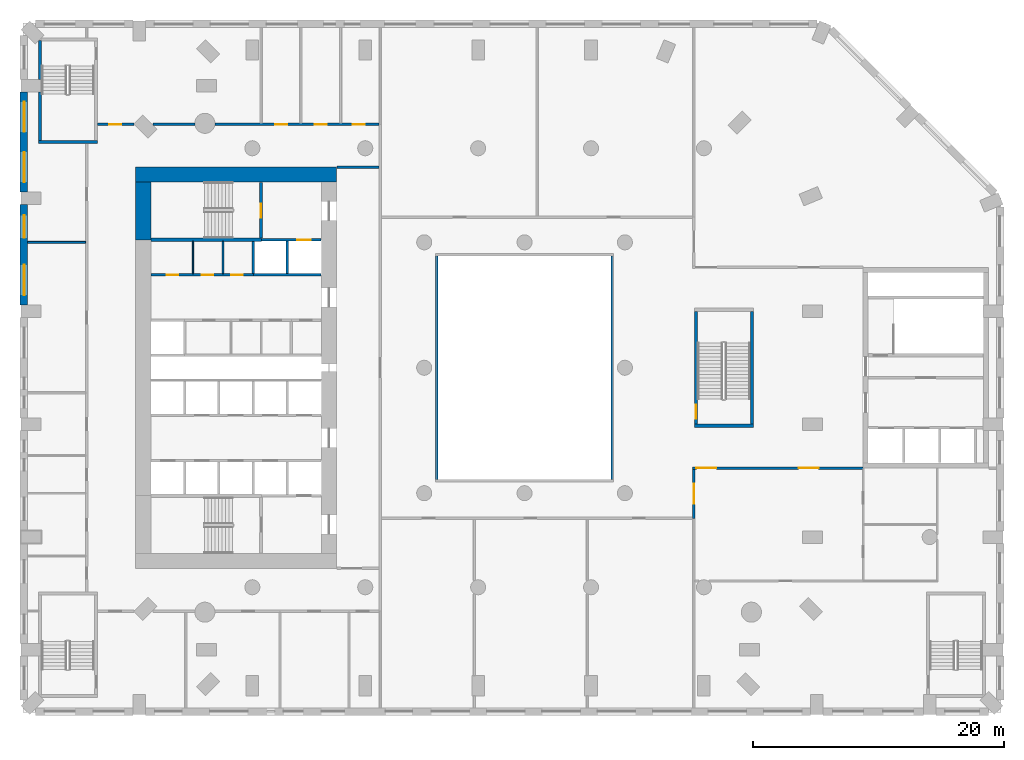
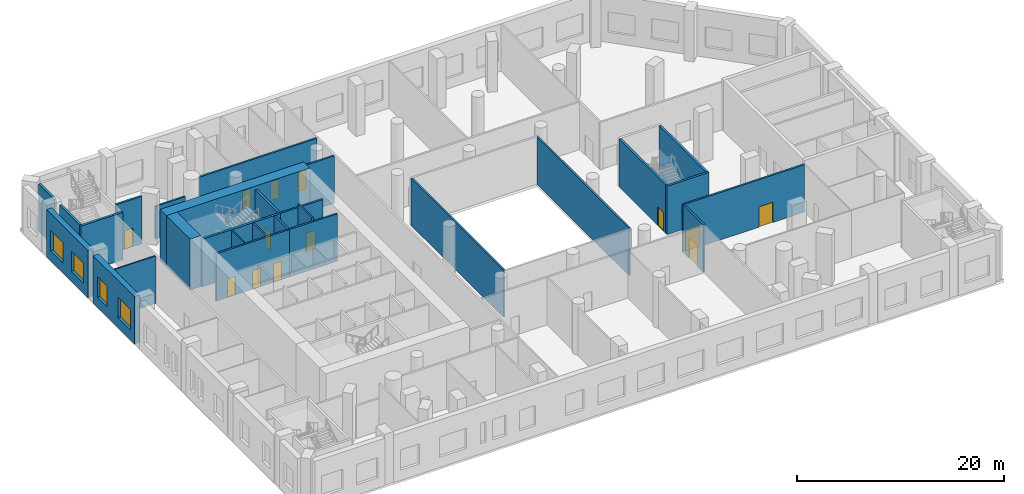
# One storey, part 6 of 19: 28 walls, 13 doors, 4 windows, 17 openings.
"""IFC4 building model written with IfcOpenShell, lengths in metres."""

import ifcopenshell
import ifcopenshell.guid

model = None  # the IFC model being written
_history = None  # IfcOwnerHistory: only IFC2X3 demands one
_inside = {}  # id of a spatial element -> (the spatial element, [elements in it])
_under = {}  # id of a project, library or spatial element -> (it, [spatial elements below it])
_declared = {}  # id of a project -> (the project, [libraries it declares])
_typed = {}  # id of a type object -> (the type object, [elements of that type])
_made_of = {}  # id of a material, layer set ... -> (it, [elements and type objects made of it])


def new_model(schema):
    """Start an empty IFC model of exactly this schema.

    Asked for "IFC4X3", IfcOpenShell would pick the latest addendum, in which some entities
    have other attributes; the version numbers below select the first issue.
    IFC2X3 requires an IfcOwnerHistory on every rooted entity: one is made here for all.
    """
    global model, _history
    if schema == "IFC4X3":
        model = ifcopenshell.file(schema_version=(4, 3, 0, 0))
    else:
        model = ifcopenshell.file(schema=schema)
    _inside.clear()
    _under.clear()
    _declared.clear()
    _typed.clear()
    _made_of.clear()
    _history = None
    if model.schema == "IFC2X3":
        org = make("IfcOrganization", Name="unknown")
        user = make(
            "IfcPersonAndOrganization",
            ThePerson=make("IfcPerson", FamilyName="unknown"),
            TheOrganization=org,
        )
        app = make(
            "IfcApplication",
            ApplicationDeveloper=org,
            Version="unknown",
            ApplicationFullName="unknown",
            ApplicationIdentifier="unknown",
        )
        _history = make(
            "IfcOwnerHistory",
            OwningUser=user,
            OwningApplication=app,
            ChangeAction="ADDED",
            CreationDate=0,
        )
    return model


def make(cls, **values):
    """One entity of the class cls with the attributes given. An attribute that is None is left unset."""
    return model.create_entity(
        cls, **{name: value for name, value in values.items() if value is not None}
    )


def rooted(cls, **values):
    """An entity with a GlobalId (a new one), such as an element, a storey or a relation."""
    return make(cls, GlobalId=ifcopenshell.guid.new(), OwnerHistory=_history, **values)


def si_unit(unit_type, name, prefix=None):
    """IfcSIUnit, for example si_unit("LENGTHUNIT", "METRE", prefix="MILLI")."""
    return make("IfcSIUnit", UnitType=unit_type, Prefix=prefix, Name=name)


def assignment(units):
    """IfcUnitAssignment: the units of a project."""
    return None if units is None else make("IfcUnitAssignment", Units=units)


def point(xyz):
    """IfcCartesianPoint."""
    return None if xyz is None else make("IfcCartesianPoint", Coordinates=xyz)


def direction(xyz):
    """IfcDirection."""
    return None if xyz is None else make("IfcDirection", DirectionRatios=xyz)


def frame(location, z_axis=None, x_axis=None):
    """IfcAxis2Placement3D, a coordinate frame: its origin and axes. An axis left out is left unset."""
    return make(
        "IfcAxis2Placement3D",
        Location=point(location),
        Axis=direction(z_axis),
        RefDirection=direction(x_axis),
    )


def frame_2d(location, x_axis=None):
    """IfcAxis2Placement2D, a coordinate frame in the plane: its origin and x axis."""
    return make(
        "IfcAxis2Placement2D", Location=point(location), RefDirection=direction(x_axis)
    )


def origin():
    """The frame at (0, 0, 0) with its axes left unset."""
    return frame((0.0, 0.0, 0.0))


def place(relative_to, where):
    """IfcLocalPlacement: puts the frame where relative to a parent placement (None: the world)."""
    return make(
        "IfcLocalPlacement", PlacementRelTo=relative_to, RelativePlacement=where
    )


def context(
    kind, dimensions, precision=None, world=None, true_north=None, identifier=None
):
    """IfcGeometricRepresentationContext, for example the 3D "Model" context."""
    return make(
        "IfcGeometricRepresentationContext",
        ContextIdentifier=identifier,
        ContextType=kind,
        CoordinateSpaceDimension=dimensions,
        Precision=precision,
        WorldCoordinateSystem=world,
        TrueNorth=true_north,
    )


def subcontext(parent, identifier, kind, view, scale=None):
    """IfcGeometricRepresentationSubContext, for example "Body" below "Model"."""
    return make(
        "IfcGeometricRepresentationSubContext",
        ContextIdentifier=identifier,
        ContextType=kind,
        ParentContext=parent,
        TargetScale=scale,
        TargetView=view,
    )


def project(units=None, contexts=None):
    """IfcProject with its units and contexts."""
    return rooted(
        "IfcProject",
        Name="project",
        RepresentationContexts=contexts,
        UnitsInContext=assignment(units),
    )


def spatial(cls, under=None, at=None, **own):
    """A site, building, storey or space (cls), placed at a placement, below another one or the project."""
    s = rooted(cls, ObjectPlacement=at, **own)
    if under is not None:
        _under.setdefault(under.id(), (under, []))[1].append(s)
    return s


def profile(cls, at=None, kind="AREA", **sizes):
    """A parametric profile (cls). Its sizes go by their IFC names, for example OverallWidth=200.0."""
    return make(cls, ProfileType=kind, Position=at, **sizes)


def rectangle(**sizes):
    """IfcRectangleProfileDef."""
    return profile("IfcRectangleProfileDef", **sizes)


def extrude(swept, where, along, depth):
    """IfcExtrudedAreaSolid: the profile swept, set in the frame where, extruded along a direction by depth."""
    return make(
        "IfcExtrudedAreaSolid",
        SweptArea=swept,
        Position=where,
        ExtrudedDirection=direction(along),
        Depth=depth,
    )


def shape(context_of_items, identifier, shape_type, items):
    """IfcShapeRepresentation: the items that make up one representation, for example the "Body"."""
    return make(
        "IfcShapeRepresentation",
        ContextOfItems=context_of_items,
        RepresentationIdentifier=identifier,
        RepresentationType=shape_type,
        Items=items,
    )


def material(Name=None, Category=None):
    """IfcMaterial."""
    return make("IfcMaterial", Name=Name, Category=Category)


def layer(
    of_material, thickness, ventilated=None, Name=None, Category=None, Priority=None
):
    """IfcMaterialLayer: one layer of a wall or slab, of a material (None: an air gap)."""
    return make(
        "IfcMaterialLayer",
        Material=of_material,
        LayerThickness=thickness,
        IsVentilated=ventilated,
        Name=Name,
        Category=Category,
        Priority=Priority,
    )


def layer_set(layers, Name=None):
    """IfcMaterialLayerSet."""
    return make("IfcMaterialLayerSet", MaterialLayers=layers, LayerSetName=Name)


def made_of(thing, what):
    """Note that an element or type object is made of a material, layer set ...; save() writes the relation."""
    if what is not None:
        _made_of.setdefault(what.id(), (what, []))[1].append(thing)
    return thing


def type_object(cls, material=None, **own):
    """A type object (cls), such as IfcWallType, which elements share."""
    return made_of(rooted(cls, **own), material)


def element(
    cls,
    number,
    at=None,
    inside=None,
    cuts=None,
    type_object=None,
    material=None,
    context=None,
    identifier="Body",
    shape_type=None,
    held_by="IfcProductDefinitionShape",
    body=None,
    shapes=None,
    **own,
):
    """One element of the class cls, such as IfcWall. Its Tag is "e" and its number.

    at: its placement. inside: the storey or other place that contains it. cuts: it is an
    opening in that element (IfcRelVoidsElement). A single representation is given by context,
    identifier, shape_type and body (its items); several are given by shapes. held_by: the class
    of the entity that holds the representations. save() writes the other relations.
    """
    e = rooted(cls, Tag="e%d" % number, ObjectPlacement=at, **own)
    if body is not None:
        shapes = [shape(context, identifier, shape_type, body)]
    if shapes is not None:
        e.Representation = make(held_by, Representations=shapes)
    if inside is not None:
        _inside.setdefault(inside.id(), (inside, []))[1].append(e)
    if cuts is not None:
        rooted(
            "IfcRelVoidsElement", RelatingBuildingElement=cuts, RelatedOpeningElement=e
        )
    if type_object is not None:
        _typed.setdefault(type_object.id(), (type_object, []))[1].append(e)
    return made_of(e, material)


def fill(opening, filler):
    """IfcRelFillsElement: the door or window that sits in an opening."""
    return rooted(
        "IfcRelFillsElement",
        RelatingOpeningElement=opening,
        RelatedBuildingElement=filler,
    )


def aggregate(whole, parts):
    """IfcRelAggregates: a whole, such as a stair, and the parts it consists of."""
    return rooted("IfcRelAggregates", RelatingObject=whole, RelatedObjects=parts)


def save(model, path):
    """Write the relations noted so far, then the file.

    IfcRelAggregates (storeys below a building ...), IfcRelContainedInSpatialStructure (elements
    in a storey), IfcRelDefinesByType, IfcRelAssociatesMaterial and IfcRelDeclares: one each for
    every whole, place, type object, material and project.
    """
    for whole, parts in _under.values():
        aggregate(whole, parts)
    for where, things in _inside.values():
        rooted(
            "IfcRelContainedInSpatialStructure",
            RelatedElements=things,
            RelatingStructure=where,
        )
    for kind, things in _typed.values():
        rooted("IfcRelDefinesByType", RelatedObjects=things, RelatingType=kind)
    for what, things in _made_of.values():
        rooted("IfcRelAssociatesMaterial", RelatedObjects=things, RelatingMaterial=what)
    for by, libraries in _declared.values():
        rooted("IfcRelDeclares", RelatingContext=by, RelatedDefinitions=libraries)
    model.write(path)


model = new_model("IFC4")

# Units and contexts
model_context = context("Model", 3, precision=1e-05, world=origin(), true_north=direction((0.0, 1.0)))
body_context = subcontext(model_context, "Body", "Model", "MODEL_VIEW")
ifc_project = project(units=[si_unit("LENGTHUNIT", "METRE"), si_unit("AREAUNIT", "SQUARE_METRE"), si_unit("VOLUMEUNIT", "CUBIC_METRE"), si_unit("PLANEANGLEUNIT", "RADIAN"), si_unit("MASSUNIT", "GRAM", prefix="KILO")], contexts=[model_context])

# Site, building, storey
site_placement = place(None, origin())
site = spatial("IfcSite", under=ifc_project, at=site_placement, CompositionType="ELEMENT")
building_placement = place(site_placement, origin())
building = spatial("IfcBuilding", under=site, at=building_placement, Name="Cypress Arch Tower", CompositionType="ELEMENT")
storey_placement = place(building_placement, frame((0.0, 0.0, 44.0)))
storey = spatial("IfcBuildingStorey", under=building, at=storey_placement, Name="L05", CompositionType="ELEMENT", Elevation=44.0)

# Wall, openings, windows
ifc_material_1 = material(Name="Brick (red buff blend) on blockwork backing", Category="masonry")
ifc_layer_1 = layer(ifc_material_1, 0.60009765625)
ifc_layer_set_1 = layer_set([ifc_layer_1], Name="Brick base wall BW600")
wall_type_1 = type_object("IfcWallType", Name="Brick base wall BW600", PredefinedType="ELEMENTEDWALL", material=ifc_layer_set_1)
wall_1_placement = place(storey_placement, frame((-38.925048828125, 22.0, 0.0), z_axis=(0.0, 0.0, 1.0), x_axis=(0.0, -1.0, 0.0)))
wall_1 = element("IfcWall", 1, at=wall_1_placement, inside=storey, type_object=wall_type_1, Name="Brick wall L05 P04.1", PredefinedType="ELEMENTEDWALL", context=body_context, shape_type="SweptSolid", body=[
    extrude(rectangle(XDim=8.0, YDim=0.60009765625, at=frame_2d((4.0, 0.0))), origin(), (0.0, 0.0, 1.0), 5.595947265625),
])
opening_1_placement = place(wall_1_placement, frame((0.800048828125, 0.0, 1.199951171875)))
opening_1 = element("IfcOpeningElement", 2, at=opening_1_placement, cuts=wall_1, Name="Opening W240P", PredefinedType="OPENING", context=body_context, shape_type="SweptSolid", body=[
    extrude(rectangle(XDim=2.39990234375, YDim=2.39990234375, at=frame_2d((1.199951171875, 1.199951171875))), frame((0.0, 0.31005859375, 0.0), z_axis=(0.0, -1.0, 0.0), x_axis=(1.0, 0.0, 0.0)), (0.0, 0.0, 1.0), 0.6201171875),
])
opening_2_placement = place(wall_1_placement, frame((4.800048828125, 0.0, 1.199951171875)))
opening_2 = element("IfcOpeningElement", 3, at=opening_2_placement, cuts=wall_1, Name="Opening W240P", PredefinedType="OPENING", context=body_context, shape_type="SweptSolid", body=[
    extrude(rectangle(XDim=2.39990234375, YDim=2.39990234375, at=frame_2d((1.199951171875, 1.199951171875))), frame((0.0, 0.31005859375, 0.0), z_axis=(0.0, -1.0, 0.0), x_axis=(1.0, 0.0, 0.0)), (0.0, 0.0, 1.0), 0.6201171875),
])
ifc_material_2 = material(Name="Anodised aluminium, bronze finish, clear low-emissivity double glazing", Category="aluminium")
window_type_1 = type_object("IfcWindowType", Name="Window Podium 2400x2400", PartitioningType="SINGLE_PANEL", PredefinedType="WINDOW", material=ifc_material_2)
window_1_placement = place(opening_1_placement, origin())
window_1 = element("IfcWindow", 4, at=window_1_placement, inside=storey, type_object=window_type_1, Name="Window L05 P04.1.1", OverallHeight=2.39990234375, OverallWidth=2.39990234375, PartitioningType="SINGLE_PANEL", PredefinedType="WINDOW", context=body_context, shape_type="SweptSolid", body=[
    extrude(rectangle(XDim=2.39990234375, YDim=2.39990234375, at=frame_2d((1.199951171875, 1.199951171875))), frame((0.0, 0.06005859375, 0.0), z_axis=(0.0, -1.0, 0.0), x_axis=(1.0, 0.0, 0.0)), (0.0, 0.0, 1.0), 0.06005859375),
])
fill(opening_1, window_1)
window_2_placement = place(opening_2_placement, origin())
window_2 = element("IfcWindow", 5, at=window_2_placement, inside=storey, type_object=window_type_1, Name="Window L05 P04.1.2", OverallHeight=2.39990234375, OverallWidth=2.39990234375, PartitioningType="SINGLE_PANEL", PredefinedType="WINDOW", context=body_context, shape_type="SweptSolid", body=[
    extrude(rectangle(XDim=2.39990234375, YDim=2.39990234375, at=frame_2d((1.199951171875, 1.199951171875))), frame((0.0, 0.06005859375, 0.0), z_axis=(0.0, -1.0, 0.0), x_axis=(1.0, 0.0, 0.0)), (0.0, 0.0, 1.0), 0.06005859375),
])
fill(opening_2, window_2)

wall_2_placement = place(storey_placement, frame((-38.925048828125, 13.0, 0.0), z_axis=(0.0, 0.0, 1.0), x_axis=(0.0, -1.0, 0.0)))
wall_2 = element("IfcWall", 6, at=wall_2_placement, inside=storey, type_object=wall_type_1, Name="Brick wall L05 P04.2", PredefinedType="ELEMENTEDWALL", context=body_context, shape_type="SweptSolid", body=[
    extrude(rectangle(XDim=8.0, YDim=0.60009765625, at=frame_2d((4.0, 0.0))), origin(), (0.0, 0.0, 1.0), 5.595947265625),
])
opening_3_placement = place(wall_2_placement, frame((4.800048828125, 0.0, 1.199951171875)))
opening_3 = element("IfcOpeningElement", 7, at=opening_3_placement, cuts=wall_2, Name="Opening W240P", PredefinedType="OPENING", context=body_context, shape_type="SweptSolid", body=[
    extrude(rectangle(XDim=2.39990234375, YDim=2.39990234375, at=frame_2d((1.199951171875, 1.199951171875))), frame((0.0, 0.31005859375, 0.0), z_axis=(0.0, -1.0, 0.0), x_axis=(1.0, 0.0, 0.0)), (0.0, 0.0, 1.0), 0.6201171875),
])
opening_4_placement = place(wall_2_placement, frame((0.85009765625, 0.0, 1.199951171875)))
opening_4 = element("IfcOpeningElement", 8, at=opening_4_placement, cuts=wall_2, Name="Opening W180P", PredefinedType="OPENING", context=body_context, shape_type="SweptSolid", body=[
    extrude(rectangle(XDim=1.800048828125, YDim=2.39990234375, at=frame_2d((0.89990234375, 1.199951171875))), frame((0.0, 0.31005859375, 0.0), z_axis=(0.0, -1.0, 0.0), x_axis=(1.0, 0.0, 0.0)), (0.0, 0.0, 1.0), 0.6201171875),
])
ifc_material_3 = material(Name="Anodised aluminium, bronze finish, clear low-emissivity double glazing", Category="aluminium")
window_type_2 = type_object("IfcWindowType", Name="Window Podium 1800x2400", PartitioningType="SINGLE_PANEL", PredefinedType="WINDOW", material=ifc_material_3)
window_3_placement = place(opening_4_placement, origin())
window_3 = element("IfcWindow", 9, at=window_3_placement, inside=storey, type_object=window_type_2, Name="Window L05 P04.2.1", OverallHeight=2.39990234375, OverallWidth=1.800048828125, PartitioningType="SINGLE_PANEL", PredefinedType="WINDOW", context=body_context, shape_type="SweptSolid", body=[
    extrude(rectangle(XDim=1.800048828125, YDim=2.39990234375, at=frame_2d((0.89990234375, 1.199951171875))), frame((0.0, 0.06005859375, 0.0), z_axis=(0.0, -1.0, 0.0), x_axis=(1.0, 0.0, 0.0)), (0.0, 0.0, 1.0), 0.06005859375),
])
fill(opening_4, window_3)
window_4_placement = place(opening_3_placement, origin())
window_4 = element("IfcWindow", 10, at=window_4_placement, inside=storey, type_object=window_type_1, Name="Window L05 P04.2.2", OverallHeight=2.39990234375, OverallWidth=2.39990234375, PartitioningType="SINGLE_PANEL", PredefinedType="WINDOW", context=body_context, shape_type="SweptSolid", body=[
    extrude(rectangle(XDim=2.39990234375, YDim=2.39990234375, at=frame_2d((1.199951171875, 1.199951171875))), frame((0.0, 0.06005859375, 0.0), z_axis=(0.0, -1.0, 0.0), x_axis=(1.0, 0.0, 0.0)), (0.0, 0.0, 1.0), 0.06005859375),
])
fill(opening_3, window_4)

# Walls
ifc_material_4 = material(Name="Concrete C80/95", Category="concrete")
ifc_layer_2 = layer(ifc_material_4, 1.199951171875)
ifc_layer_set_2 = layer_set([ifc_layer_2], Name="Core wall CW1200 C80/95")
wall_type_2 = type_object("IfcWallType", Name="Core wall CW1200 C80/95", PredefinedType="SHEAR", material=ifc_layer_set_2)
wall_3_placement = place(storey_placement, frame((-30.0, 15.39990234375, 0.0), z_axis=(0.0, 0.0, 1.0), x_axis=(1.0, 0.0, 0.0)))
element("IfcWall", 11, at=wall_3_placement, inside=storey, type_object=wall_type_2, Name="Core wall", PredefinedType="SHEAR", context=body_context, shape_type="SweptSolid", body=[
    extrude(rectangle(XDim=16.0, YDim=1.199951171875, at=frame_2d((8.0, 0.0))), origin(), (0.0, 0.0, 1.0), 6.0),
])
wall_4_placement = place(storey_placement, frame((-29.39990234375, 10.199951171875, 0.0), z_axis=(0.0, 0.0, 1.0), x_axis=(0.0, 1.0, 0.0)))
element("IfcWall", 12, at=wall_4_placement, inside=storey, type_object=wall_type_2, Name="Core wall", PredefinedType="SHEAR", context=body_context, shape_type="SweptSolid", body=[
    extrude(rectangle(XDim=4.60009765625, YDim=1.199951171875, at=frame_2d((2.300048828125, 0.0))), origin(), (0.0, 0.0, 1.0), 6.0),
])

# Wall, opening, door
ifc_material_5 = material(Name="Concrete blockwork, plastered, rated", Category="masonry")
ifc_layer_3 = layer(ifc_material_5, 0.199951171875)
ifc_layer_set_3 = layer_set([ifc_layer_3], Name="Corridor wall FW200")
wall_type_3 = type_object("IfcWallType", Name="Corridor wall FW200", PredefinedType="PARTITIONING", material=ifc_layer_set_3)
wall_5_placement = place(storey_placement, frame((-33.050048828125, 19.39990234375, 0.0), z_axis=(0.0, 0.0, 1.0), x_axis=(1.0, 0.0, 0.0)))
wall_5 = element("IfcWall", 13, at=wall_5_placement, inside=storey, type_object=wall_type_3, Name="Corridor wall", PredefinedType="PARTITIONING", context=body_context, shape_type="SweptSolid", body=[
    extrude(rectangle(XDim=2.912841796875, YDim=0.199951171875, at=frame_2d((1.45654296875, 0.0))), origin(), (0.0, 0.0, 1.0), 5.595947265625),
])
opening_5_placement = place(wall_5_placement, frame((0.949951171875, 0.0, 0.0)))
opening_5 = element("IfcOpeningElement", 14, at=opening_5_placement, cuts=wall_5, Name="Opening D02", PredefinedType="OPENING", context=body_context, shape_type="SweptSolid", body=[
    extrude(rectangle(XDim=0.949951171875, YDim=2.199951171875, at=frame_2d((0.47509765625, 1.10009765625))), frame((0.0, 0.10986328125, 0.0), z_axis=(0.0, -1.0, 0.0), x_axis=(1.0, 0.0, 0.0)), (0.0, 0.0, 1.0), 0.219970703125),
])
ifc_material_6 = material(Name="Timber flush door, fire resisting", Category="wood")
door_type_1 = type_object("IfcDoorType", Name="Room door D02 950x2200", OperationType="SINGLE_SWING_LEFT", PredefinedType="DOOR", material=ifc_material_6)
door_1_placement = place(opening_5_placement, origin())
door_1 = element("IfcDoor", 15, at=door_1_placement, inside=storey, type_object=door_type_1, Name="Room door", OperationType="SINGLE_SWING_LEFT", OverallHeight=2.199951171875, OverallWidth=0.949951171875, PredefinedType="DOOR", context=body_context, shape_type="SweptSolid", body=[
    extrude(rectangle(XDim=0.949951171875, YDim=2.199951171875, at=frame_2d((0.47509765625, 1.10009765625))), frame((0.0, 0.02490234375, 0.0), z_axis=(0.0, -1.0, 0.0), x_axis=(1.0, 0.0, 0.0)), (0.0, 0.0, 1.0), 0.050048828125),
])
fill(opening_5, door_1)

# Wall
wall_6_placement = place(storey_placement, frame((-28.61279296875, 19.39990234375, 0.0), z_axis=(0.0, 0.0, 1.0), x_axis=(1.0, 0.0, 0.0)))
element("IfcWall", 16, at=wall_6_placement, inside=storey, type_object=wall_type_3, Name="Corridor wall", PredefinedType="PARTITIONING", context=body_context, shape_type="SweptSolid", body=[
    extrude(rectangle(XDim=3.323486328125, YDim=0.199951171875, at=frame_2d((1.66162109375, 0.0))), origin(), (0.0, 0.0, 1.0), 3.85009765625),
])

# Wall, openings, doors
wall_7_placement = place(storey_placement, frame((-23.6865234375, 19.39990234375, 0.0), z_axis=(0.0, 0.0, 1.0), x_axis=(1.0, 0.0, 0.0)))
wall_7 = element("IfcWall", 17, at=wall_7_placement, inside=storey, type_object=wall_type_3, Name="Corridor wall", PredefinedType="PARTITIONING", context=body_context, shape_type="SweptSolid", body=[
    extrude(rectangle(XDim=13.08642578125, YDim=0.199951171875, at=frame_2d((6.543212890625, 0.0))), origin(), (0.0, 0.0, 1.0), 5.595947265625),
])
opening_6_placement = place(wall_7_placement, frame((4.800048828125, 0.0, 0.0)))
opening_6 = element("IfcOpeningElement", 18, at=opening_6_placement, cuts=wall_7, Name="Opening D02", PredefinedType="OPENING", context=body_context, shape_type="SweptSolid", body=[
    extrude(rectangle(XDim=0.949951171875, YDim=2.199951171875, at=frame_2d((0.47509765625, 1.10009765625))), frame((0.0, 0.10986328125, 0.0), z_axis=(0.0, -1.0, 0.0), x_axis=(1.0, 0.0, 0.0)), (0.0, 0.0, 1.0), 0.219970703125),
])
opening_7_placement = place(wall_7_placement, frame((7.949951171875, 0.0, 0.0)))
opening_7 = element("IfcOpeningElement", 19, at=opening_7_placement, cuts=wall_7, Name="Opening D02", PredefinedType="OPENING", context=body_context, shape_type="SweptSolid", body=[
    extrude(rectangle(XDim=0.949951171875, YDim=2.199951171875, at=frame_2d((0.47509765625, 1.10009765625))), frame((0.0, 0.10986328125, 0.0), z_axis=(0.0, -1.0, 0.0), x_axis=(1.0, 0.0, 0.0)), (0.0, 0.0, 1.0), 0.219970703125),
])
opening_8_placement = place(wall_7_placement, frame((11.0, 0.0, 0.0)))
opening_8 = element("IfcOpeningElement", 20, at=opening_8_placement, cuts=wall_7, Name="Opening D02", PredefinedType="OPENING", context=body_context, shape_type="SweptSolid", body=[
    extrude(rectangle(XDim=0.949951171875, YDim=2.199951171875, at=frame_2d((0.47509765625, 1.10009765625))), frame((0.0, 0.10986328125, 0.0), z_axis=(0.0, -1.0, 0.0), x_axis=(1.0, 0.0, 0.0)), (0.0, 0.0, 1.0), 0.219970703125),
])
door_2_placement = place(opening_6_placement, origin())
door_2 = element("IfcDoor", 21, at=door_2_placement, inside=storey, type_object=door_type_1, Name="Room door", OperationType="SINGLE_SWING_RIGHT", OverallHeight=2.199951171875, OverallWidth=0.949951171875, PredefinedType="DOOR", context=body_context, shape_type="SweptSolid", body=[
    extrude(rectangle(XDim=0.949951171875, YDim=2.199951171875, at=frame_2d((0.47509765625, 1.10009765625))), frame((0.0, 0.02490234375, 0.0), z_axis=(0.0, -1.0, 0.0), x_axis=(1.0, 0.0, 0.0)), (0.0, 0.0, 1.0), 0.050048828125),
])
fill(opening_6, door_2)
door_3_placement = place(opening_7_placement, origin())
door_3 = element("IfcDoor", 22, at=door_3_placement, inside=storey, type_object=door_type_1, Name="Room door", OperationType="SINGLE_SWING_LEFT", OverallHeight=2.199951171875, OverallWidth=0.949951171875, PredefinedType="DOOR", context=body_context, shape_type="SweptSolid", body=[
    extrude(rectangle(XDim=0.949951171875, YDim=2.199951171875, at=frame_2d((0.47509765625, 1.10009765625))), frame((0.0, 0.02490234375, 0.0), z_axis=(0.0, -1.0, 0.0), x_axis=(1.0, 0.0, 0.0)), (0.0, 0.0, 1.0), 0.050048828125),
])
fill(opening_7, door_3)
door_4_placement = place(opening_8_placement, origin())
door_4 = element("IfcDoor", 23, at=door_4_placement, inside=storey, type_object=door_type_1, Name="Room door", OperationType="SINGLE_SWING_LEFT", OverallHeight=2.199951171875, OverallWidth=0.949951171875, PredefinedType="DOOR", context=body_context, shape_type="SweptSolid", body=[
    extrude(rectangle(XDim=0.949951171875, YDim=2.199951171875, at=frame_2d((0.47509765625, 1.10009765625))), frame((0.0, 0.02490234375, 0.0), z_axis=(0.0, -1.0, 0.0), x_axis=(1.0, 0.0, 0.0)), (0.0, 0.0, 1.0), 0.050048828125),
])
fill(opening_8, door_4)

wall_8_placement = place(storey_placement, frame((-28.77001953125, 7.39990234375, 0.0), z_axis=(0.0, 0.0, 1.0), x_axis=(1.0, 0.0, 0.0)))
wall_8 = element("IfcWall", 24, at=wall_8_placement, inside=storey, type_object=wall_type_3, Name="Corridor wall", PredefinedType="PARTITIONING", context=body_context, shape_type="SweptSolid", body=[
    extrude(rectangle(XDim=8.14990234375, YDim=0.199951171875, at=frame_2d((4.074951171875, 0.0))), origin(), (0.0, 0.0, 1.0), 5.595947265625),
])
opening_9_placement = place(wall_8_placement, frame((1.25, 0.0, 0.0)))
opening_9 = element("IfcOpeningElement", 25, at=opening_9_placement, cuts=wall_8, Name="Opening D05", PredefinedType="OPENING", context=body_context, shape_type="SweptSolid", body=[
    extrude(rectangle(XDim=0.89990234375, YDim=2.199951171875, at=frame_2d((0.449951171875, 1.10009765625))), frame((0.0, 0.10986328125, 0.0), z_axis=(0.0, -1.0, 0.0), x_axis=(1.0, 0.0, 0.0)), (0.0, 0.0, 1.0), 0.219970703125),
])
opening_10_placement = place(wall_8_placement, frame((4.050048828125, 0.0, 0.0)))
opening_10 = element("IfcOpeningElement", 26, at=opening_10_placement, cuts=wall_8, Name="Opening D05", PredefinedType="OPENING", context=body_context, shape_type="SweptSolid", body=[
    extrude(rectangle(XDim=0.89990234375, YDim=2.199951171875, at=frame_2d((0.449951171875, 1.10009765625))), frame((0.0, 0.10986328125, 0.0), z_axis=(0.0, -1.0, 0.0), x_axis=(1.0, 0.0, 0.0)), (0.0, 0.0, 1.0), 0.219970703125),
])
opening_11_placement = place(wall_8_placement, frame((6.39990234375, 0.0, 0.0)))
opening_11 = element("IfcOpeningElement", 27, at=opening_11_placement, cuts=wall_8, Name="Opening D05", PredefinedType="OPENING", context=body_context, shape_type="SweptSolid", body=[
    extrude(rectangle(XDim=0.89990234375, YDim=2.199951171875, at=frame_2d((0.449951171875, 1.10009765625))), frame((0.0, 0.10986328125, 0.0), z_axis=(0.0, -1.0, 0.0), x_axis=(1.0, 0.0, 0.0)), (0.0, 0.0, 1.0), 0.219970703125),
])
ifc_material_7 = material(Name="Timber flush door", Category="wood")
door_type_2 = type_object("IfcDoorType", Name="Service door D05 900x2200", OperationType="SINGLE_SWING_LEFT", PredefinedType="DOOR", material=ifc_material_7)
door_5_placement = place(opening_9_placement, origin())
door_5 = element("IfcDoor", 28, at=door_5_placement, inside=storey, type_object=door_type_2, Name="Service door", OperationType="SINGLE_SWING_RIGHT", OverallHeight=2.199951171875, OverallWidth=0.89990234375, PredefinedType="DOOR", context=body_context, shape_type="SweptSolid", body=[
    extrude(rectangle(XDim=0.89990234375, YDim=2.199951171875, at=frame_2d((0.449951171875, 1.10009765625))), frame((0.0, 0.02490234375, 0.0), z_axis=(0.0, -1.0, 0.0), x_axis=(1.0, 0.0, 0.0)), (0.0, 0.0, 1.0), 0.050048828125),
])
fill(opening_9, door_5)
door_6_placement = place(opening_10_placement, origin())
door_6 = element("IfcDoor", 29, at=door_6_placement, inside=storey, type_object=door_type_2, Name="Service door", OperationType="SINGLE_SWING_LEFT", OverallHeight=2.199951171875, OverallWidth=0.89990234375, PredefinedType="DOOR", context=body_context, shape_type="SweptSolid", body=[
    extrude(rectangle(XDim=0.89990234375, YDim=2.199951171875, at=frame_2d((0.449951171875, 1.10009765625))), frame((0.0, 0.02490234375, 0.0), z_axis=(0.0, -1.0, 0.0), x_axis=(1.0, 0.0, 0.0)), (0.0, 0.0, 1.0), 0.050048828125),
])
fill(opening_10, door_6)
door_7_placement = place(opening_11_placement, origin())
door_7 = element("IfcDoor", 30, at=door_7_placement, inside=storey, type_object=door_type_2, Name="Service door", OperationType="SINGLE_SWING_LEFT", OverallHeight=2.199951171875, OverallWidth=0.89990234375, PredefinedType="DOOR", context=body_context, shape_type="SweptSolid", body=[
    extrude(rectangle(XDim=0.89990234375, YDim=2.199951171875, at=frame_2d((0.449951171875, 1.10009765625))), frame((0.0, 0.02490234375, 0.0), z_axis=(0.0, -1.0, 0.0), x_axis=(1.0, 0.0, 0.0)), (0.0, 0.0, 1.0), 0.050048828125),
])
fill(opening_11, door_7)

# Walls
wall_9_placement = place(storey_placement, frame((-13.969970703125, 16.0, 0.0), z_axis=(0.0, 0.0, 1.0), x_axis=(1.0, 0.0, 0.0)))
element("IfcWall", 31, at=wall_9_placement, inside=storey, type_object=wall_type_3, Name="Corridor wall", PredefinedType="PARTITIONING", context=body_context, shape_type="SweptSolid", body=[
    extrude(rectangle(XDim=3.369873046875, YDim=0.199951171875, at=frame_2d((1.68505859375, 0.0))), origin(), (0.0, 0.0, 1.0), 5.595947265625),
])
for number, where, z_axis, x_axis, name in (
    (32, (-6.0, -8.89990234375, 0.0), (0.0, 0.0, 1.0), (0.0, 1.0, 0.0), "Corridor wall"),
    (33, (8.0, -8.89990234375, 0.0), (0.0, 0.0, 1.0), (0.0, 1.0, 0.0), "Corridor wall"),
):
    element("IfcWall", number, at=place(storey_placement, frame(where, z_axis=z_axis, x_axis=x_axis)), inside=storey, type_object=wall_type_3, Name=name, PredefinedType="PARTITIONING", context=body_context, shape_type="SweptSolid", body=[
        extrude(rectangle(XDim=17.7998046875, YDim=0.199951171875, at=frame_2d((8.89990234375, 0.0))), origin(), (0.0, 0.0, 1.0), 5.595947265625),
    ])

# Wall, opening, door
wall_10_placement = place(storey_placement, frame((14.5, -12.0, 0.0), z_axis=(0.0, 0.0, 1.0), x_axis=(0.0, 1.0, 0.0)))
wall_10 = element("IfcWall", 34, at=wall_10_placement, inside=storey, type_object=wall_type_3, Name="Corridor wall", PredefinedType="PARTITIONING", context=body_context, shape_type="SweptSolid", body=[
    extrude(rectangle(XDim=3.89990234375, YDim=0.199951171875, at=frame_2d((1.949951171875, 0.0))), origin(), (0.0, 0.0, 1.0), 5.595947265625),
])
opening_12_placement = place(wall_10_placement, frame((1.14990234375, 0.0, 0.0)))
opening_12 = element("IfcOpeningElement", 35, at=opening_12_placement, cuts=wall_10, Name="Opening D10", PredefinedType="OPENING", context=body_context, shape_type="SweptSolid", body=[
    extrude(rectangle(XDim=1.60009765625, YDim=2.39990234375, at=frame_2d((0.800048828125, 1.199951171875))), frame((0.0, 0.10986328125, 0.0), z_axis=(0.0, -1.0, 0.0), x_axis=(1.0, 0.0, 0.0)), (0.0, 0.0, 1.0), 0.219970703125),
])
ifc_material_8 = material(Name="Black aluminium glazed door", Category="aluminium")
door_type_3 = type_object("IfcDoorType", Name="Amenity door D10 1600x2400", OperationType="DOUBLE_DOOR_SINGLE_SWING", PredefinedType="DOOR", material=ifc_material_8)
door_8_placement = place(opening_12_placement, origin())
door_8 = element("IfcDoor", 36, at=door_8_placement, inside=storey, type_object=door_type_3, Name="Amenity door", OperationType="DOUBLE_DOOR_SINGLE_SWING", OverallHeight=2.39990234375, OverallWidth=1.60009765625, PredefinedType="DOOR", context=body_context, shape_type="SweptSolid", body=[
    extrude(rectangle(XDim=1.60009765625, YDim=2.39990234375, at=frame_2d((0.800048828125, 1.199951171875))), frame((0.0, 0.02490234375, 0.0), z_axis=(0.0, -1.0, 0.0), x_axis=(1.0, 0.0, 0.0)), (0.0, 0.0, 1.0), 0.050048828125),
])
fill(opening_12, door_8)

# Wall, openings, doors
wall_11_placement = place(storey_placement, frame((14.39990234375, -8.0, 0.0), z_axis=(0.0, 0.0, 1.0), x_axis=(1.0, 0.0, 0.0)))
wall_11 = element("IfcWall", 37, at=wall_11_placement, inside=storey, type_object=wall_type_3, Name="Corridor wall", PredefinedType="PARTITIONING", context=body_context, shape_type="SweptSolid", body=[
    extrude(rectangle(XDim=13.570068359375, YDim=0.199951171875, at=frame_2d((6.78515625, 0.0))), origin(), (0.0, 0.0, 1.0), 5.595947265625),
])
opening_13_placement = place(wall_11_placement, frame((8.449951171875, 0.0, 0.0)))
opening_13 = element("IfcOpeningElement", 38, at=opening_13_placement, cuts=wall_11, Name="Opening D10", PredefinedType="OPENING", context=body_context, shape_type="SweptSolid", body=[
    extrude(rectangle(XDim=1.60009765625, YDim=2.39990234375, at=frame_2d((0.800048828125, 1.199951171875))), frame((0.0, 0.10986328125, 0.0), z_axis=(0.0, -1.0, 0.0), x_axis=(1.0, 0.0, 0.0)), (0.0, 0.0, 1.0), 0.219970703125),
])
opening_14_placement = place(wall_11_placement, frame((0.300048828125, 0.0, 0.0)))
opening_14 = element("IfcOpeningElement", 39, at=opening_14_placement, cuts=wall_11, Name="Opening D10", PredefinedType="OPENING", context=body_context, shape_type="SweptSolid", body=[
    extrude(rectangle(XDim=1.60009765625, YDim=2.39990234375, at=frame_2d((0.800048828125, 1.199951171875))), frame((0.0, 0.10986328125, 0.0), z_axis=(0.0, -1.0, 0.0), x_axis=(1.0, 0.0, 0.0)), (0.0, 0.0, 1.0), 0.219970703125),
])
door_9_placement = place(opening_13_placement, origin())
door_9 = element("IfcDoor", 40, at=door_9_placement, inside=storey, type_object=door_type_3, Name="Amenity door", OperationType="DOUBLE_DOOR_SINGLE_SWING", OverallHeight=2.39990234375, OverallWidth=1.60009765625, PredefinedType="DOOR", context=body_context, shape_type="SweptSolid", body=[
    extrude(rectangle(XDim=1.60009765625, YDim=2.39990234375, at=frame_2d((0.800048828125, 1.199951171875))), frame((0.0, 0.02490234375, 0.0), z_axis=(0.0, -1.0, 0.0), x_axis=(1.0, 0.0, 0.0)), (0.0, 0.0, 1.0), 0.050048828125),
])
fill(opening_13, door_9)
door_10_placement = place(opening_14_placement, origin())
door_10 = element("IfcDoor", 41, at=door_10_placement, inside=storey, type_object=door_type_3, Name="Amenity door", OperationType="DOUBLE_DOOR_SINGLE_SWING", OverallHeight=2.39990234375, OverallWidth=1.60009765625, PredefinedType="DOOR", context=body_context, shape_type="SweptSolid", body=[
    extrude(rectangle(XDim=1.60009765625, YDim=2.39990234375, at=frame_2d((0.800048828125, 1.199951171875))), frame((0.0, 0.02490234375, 0.0), z_axis=(0.0, -1.0, 0.0), x_axis=(1.0, 0.0, 0.0)), (0.0, 0.0, 1.0), 0.050048828125),
])
fill(opening_14, door_10)

# Walls
ifc_material_9 = material(Name="Blockwork, plastered both sides", Category="masonry")
ifc_layer_4 = layer(ifc_material_9, 0.14990234375)
ifc_layer_set_4 = layer_set([ifc_layer_4], Name="Partition PW150")
wall_type_4 = type_object("IfcWallType", Name="Partition PW150", PredefinedType="PARTITIONING", material=ifc_layer_set_4)
wall_12_placement = place(storey_placement, frame((-38.625, 10.0, 0.0), z_axis=(0.0, 0.0, 1.0), x_axis=(1.0, 0.0, 0.0)))
element("IfcWall", 42, at=wall_12_placement, inside=storey, type_object=wall_type_4, Name="Partition", PredefinedType="PARTITIONING", context=body_context, shape_type="SweptSolid", body=[
    extrude(rectangle(XDim=4.625, YDim=0.14990234375, at=frame_2d((2.3125, 0.0))), origin(), (0.0, 0.0, 1.0), 5.595947265625),
])
wall_13_placement = place(storey_placement, frame((-23.0400390625, 7.5, 0.0), z_axis=(0.0, 0.0, 1.0), x_axis=(0.0, 1.0, 0.0)))
element("IfcWall", 43, at=wall_13_placement, inside=storey, type_object=wall_type_4, Name="Partition", PredefinedType="PARTITIONING", context=body_context, shape_type="SweptSolid", body=[
    extrude(rectangle(XDim=2.574951171875, YDim=0.14990234375, at=frame_2d((1.28759765625, 0.0))), origin(), (0.0, 0.0, 1.0), 5.595947265625),
])
ifc_material_10 = material(Name="Concrete C50/60", Category="concrete")
ifc_layer_5 = layer(ifc_material_10, 0.199951171875)
ifc_layer_set_5 = layer_set([ifc_layer_5], Name="Shaft wall SH200")
wall_type_5 = type_object("IfcWallType", Name="Shaft wall SH200", PredefinedType="SHEAR", material=ifc_layer_set_5)
wall_14_placement = place(storey_placement, frame((-20.639892578125, 7.5, 0.0), z_axis=(0.0, 0.0, 1.0), x_axis=(0.0, 1.0, 0.0)))
element("IfcWall", 44, at=wall_14_placement, inside=storey, type_object=wall_type_5, Name="Shaft wall", PredefinedType="SHEAR", context=body_context, shape_type="SweptSolid", body=[
    extrude(rectangle(XDim=2.574951171875, YDim=0.199951171875, at=frame_2d((1.28759765625, 0.0))), origin(), (0.0, 0.0, 1.0), 5.595947265625),
])
wall_15_placement = place(storey_placement, frame((-20.6201171875, 7.39990234375, 0.0), z_axis=(0.0, 0.0, 1.0), x_axis=(1.0, 0.0, 0.0)))
element("IfcWall", 45, at=wall_15_placement, inside=storey, type_object=wall_type_5, Name="Shaft wall", PredefinedType="SHEAR", context=body_context, shape_type="SweptSolid", body=[
    extrude(rectangle(XDim=5.39013671875, YDim=0.199951171875, at=frame_2d((2.695068359375, 0.0))), origin(), (0.0, 0.0, 1.0), 5.595947265625),
])

# Wall, opening, door
wall_16_placement = place(storey_placement, frame((-19.97998046875, 10.199951171875, 0.0), z_axis=(0.0, 0.0, 1.0), x_axis=(1.0, 0.0, 0.0)))
wall_16 = element("IfcWall", 46, at=wall_16_placement, inside=storey, type_object=wall_type_5, Name="Shaft wall", PredefinedType="SHEAR", context=body_context, shape_type="SweptSolid", body=[
    extrude(rectangle(XDim=4.75, YDim=0.199951171875, at=frame_2d((2.375, 0.0))), origin(), (0.0, 0.0, 1.0), 5.595947265625),
])
opening_15_placement = place(wall_16_placement, frame((2.85009765625, 0.0, 0.0)))
opening_15 = element("IfcOpeningElement", 47, at=opening_15_placement, cuts=wall_16, Name="Opening LD-FL2", PredefinedType="OPENING", context=body_context, shape_type="SweptSolid", body=[
    extrude(rectangle(XDim=1.10009765625, YDim=2.199951171875, at=frame_2d((0.550048828125, 1.10009765625))), frame((0.0, 0.10986328125, 0.0), z_axis=(0.0, -1.0, 0.0), x_axis=(1.0, 0.0, 0.0)), (0.0, 0.0, 1.0), 0.219970703125),
])
ifc_material_11 = material(Name="Stainless steel centre-opening landing door, rated", Category="steel")
door_type_4 = type_object("IfcDoorType", Name="Lift landing door LD 1100x2200", OperationType="DOUBLE_DOOR_SLIDING", PredefinedType="DOOR", material=ifc_material_11)
door_11_placement = place(opening_15_placement, origin())
door_11 = element("IfcDoor", 48, at=door_11_placement, inside=storey, type_object=door_type_4, Name="Lift landing doors FL2", OperationType="DOUBLE_DOOR_SLIDING", OverallHeight=2.199951171875, OverallWidth=1.10009765625, PredefinedType="DOOR", context=body_context, shape_type="SweptSolid", body=[
    extrude(rectangle(XDim=1.10009765625, YDim=2.199951171875, at=frame_2d((0.550048828125, 1.10009765625))), frame((0.0, 0.02490234375, 0.0), z_axis=(0.0, -1.0, 0.0), x_axis=(1.0, 0.0, 0.0)), (0.0, 0.0, 1.0), 0.050048828125),
])
fill(opening_15, door_11)

# Walls
wall_17_placement = place(storey_placement, frame((-17.919921875, 7.5, 0.0), z_axis=(0.0, 0.0, 1.0), x_axis=(0.0, 1.0, 0.0)))
element("IfcWall", 49, at=wall_17_placement, inside=storey, type_object=wall_type_5, Name="Shaft wall", PredefinedType="SHEAR", context=body_context, shape_type="SweptSolid", body=[
    extrude(rectangle(XDim=2.60009765625, YDim=0.199951171875, at=frame_2d((1.300048828125, 0.0))), origin(), (0.0, 0.0, 1.0), 6.0),
])
ifc_material_12 = material(Name="Concrete C50/60", Category="concrete")
ifc_layer_6 = layer(ifc_material_12, 0.25)
ifc_layer_set_6 = layer_set([ifc_layer_6], Name="Stair enclosure wall SW250")
wall_type_6 = type_object("IfcWallType", Name="Stair enclosure wall SW250", PredefinedType="SHEAR", material=ifc_layer_set_6)
wall_18_placement = place(storey_placement, frame((-37.625, 18.1298828125, 0.0), z_axis=(0.0, 0.0, 1.0), x_axis=(0.0, 1.0, 0.0)))
element("IfcWall", 50, at=wall_18_placement, inside=storey, type_object=wall_type_6, Name="Stair enclosure wall", PredefinedType="SHEAR", context=body_context, shape_type="SweptSolid", body=[
    extrude(rectangle(XDim=3.8701171875, YDim=0.25, at=frame_2d((1.93505859375, 0.0))), origin(), (0.0, 0.0, 1.0), 5.595947265625),
])
wall_19_placement = place(storey_placement, frame((-37.625, 23.0, 0.0), z_axis=(0.0, 0.0, 1.0), x_axis=(0.0, 1.0, 0.0)))
element("IfcWall", 51, at=wall_19_placement, inside=storey, type_object=wall_type_6, Name="Stair enclosure wall", PredefinedType="SHEAR", context=body_context, shape_type="SweptSolid", body=[
    extrude(rectangle(XDim=3.09521484375, YDim=0.25, at=frame_2d((1.547607421875, 0.0))), origin(), (0.0, 0.0, 1.0), 5.595947265625),
])
wall_20_placement = place(storey_placement, frame((-37.75, 18.0048828125, 0.0), z_axis=(0.0, 0.0, 1.0), x_axis=(1.0, 0.0, 0.0)))
element("IfcWall", 52, at=wall_20_placement, inside=storey, type_object=wall_type_6, Name="Stair enclosure wall", PredefinedType="SHEAR", context=body_context, shape_type="SweptSolid", body=[
    extrude(rectangle(XDim=4.699951171875, YDim=0.25, at=frame_2d((2.35009765625, 0.0))), origin(), (0.0, 0.0, 1.0), 5.595947265625),
])
wall_21_placement = place(storey_placement, frame((-28.77001953125, 10.199951171875, 0.0), z_axis=(0.0, 0.0, 1.0), x_axis=(1.0, 0.0, 0.0)))
element("IfcWall", 53, at=wall_21_placement, inside=storey, type_object=wall_type_6, Name="Stair enclosure wall", PredefinedType="SHEAR", context=body_context, shape_type="SweptSolid", body=[
    extrude(rectangle(XDim=8.7900390625, YDim=0.25, at=frame_2d((4.39501953125, 0.0))), origin(), (0.0, 0.0, 1.0), 5.595947265625),
])

# Wall, opening, door
wall_22_placement = place(storey_placement, frame((-20.0, 10.324951171875, 0.0), z_axis=(0.0, 0.0, 1.0), x_axis=(0.0, 1.0, 0.0)))
wall_22 = element("IfcWall", 54, at=wall_22_placement, inside=storey, type_object=wall_type_6, Name="Stair enclosure wall", PredefinedType="SHEAR", context=body_context, shape_type="SweptSolid", body=[
    extrude(rectangle(XDim=4.445068359375, YDim=0.25, at=frame_2d((2.22265625, 0.0))), origin(), (0.0, 0.0, 1.0), 5.595947265625),
])
opening_16_placement = place(wall_22_placement, frame((1.64990234375, 0.0, 0.0)))
opening_16 = element("IfcOpeningElement", 55, at=opening_16_placement, cuts=wall_22, Name="Opening D06", PredefinedType="OPENING", context=body_context, shape_type="SweptSolid", body=[
    extrude(rectangle(XDim=1.10009765625, YDim=2.199951171875, at=frame_2d((0.550048828125, 1.10009765625))), frame((0.0, 0.135009765625, 0.0), z_axis=(0.0, -1.0, 0.0), x_axis=(1.0, 0.0, 0.0)), (0.0, 0.0, 1.0), 0.27001953125),
])
ifc_material_13 = material(Name="Steel door, fire resisting, panic bar", Category="steel")
door_type_5 = type_object("IfcDoorType", Name="Stair door D06 1100x2200", OperationType="SINGLE_SWING_LEFT", PredefinedType="DOOR", material=ifc_material_13)
door_12_placement = place(opening_16_placement, origin())
door_12 = element("IfcDoor", 56, at=door_12_placement, inside=storey, type_object=door_type_5, Name="Stair door", OperationType="SINGLE_SWING_LEFT", OverallHeight=2.199951171875, OverallWidth=1.10009765625, PredefinedType="DOOR", context=body_context, shape_type="SweptSolid", body=[
    extrude(rectangle(XDim=1.10009765625, YDim=2.199951171875, at=frame_2d((0.550048828125, 1.10009765625))), frame((0.0, 0.02490234375, 0.0), z_axis=(0.0, -1.0, 0.0), x_axis=(1.0, 0.0, 0.0)), (0.0, 0.0, 1.0), 0.050048828125),
])
fill(opening_16, door_12)

wall_23_placement = place(storey_placement, frame((14.675048828125, -4.5, 0.0), z_axis=(0.0, 0.0, 1.0), x_axis=(0.0, 1.0, 0.0)))
wall_23 = element("IfcWall", 57, at=wall_23_placement, inside=storey, type_object=wall_type_6, Name="Stair enclosure wall", PredefinedType="SHEAR", context=body_context, shape_type="SweptSolid", body=[
    extrude(rectangle(XDim=9.0, YDim=0.25, at=frame_2d((4.5, 0.0))), origin(), (0.0, 0.0, 1.0), 5.699951171875),
])
opening_17_placement = place(wall_23_placement, frame((0.449951171875, 0.0, 0.0)))
opening_17 = element("IfcOpeningElement", 58, at=opening_17_placement, cuts=wall_23, Name="Opening D06", PredefinedType="OPENING", context=body_context, shape_type="SweptSolid", body=[
    extrude(rectangle(XDim=1.10009765625, YDim=2.199951171875, at=frame_2d((0.550048828125, 1.10009765625))), frame((0.0, 0.135009765625, 0.0), z_axis=(0.0, -1.0, 0.0), x_axis=(1.0, 0.0, 0.0)), (0.0, 0.0, 1.0), 0.27001953125),
])
door_13_placement = place(opening_17_placement, origin())
door_13 = element("IfcDoor", 59, at=door_13_placement, inside=storey, type_object=door_type_5, Name="Stair door", OperationType="SINGLE_SWING_RIGHT", OverallHeight=2.199951171875, OverallWidth=1.10009765625, PredefinedType="DOOR", context=body_context, shape_type="SweptSolid", body=[
    extrude(rectangle(XDim=1.10009765625, YDim=2.199951171875, at=frame_2d((0.550048828125, 1.10009765625))), frame((0.0, 0.02490234375, 0.0), z_axis=(0.0, -1.0, 0.0), x_axis=(1.0, 0.0, 0.0)), (0.0, 0.0, 1.0), 0.050048828125),
])
fill(opening_17, door_13)

# Walls
wall_24_placement = place(storey_placement, frame((14.550048828125, -4.625, 0.0), z_axis=(0.0, 0.0, 1.0), x_axis=(1.0, 0.0, 0.0)))
element("IfcWall", 60, at=wall_24_placement, inside=storey, type_object=wall_type_6, Name="Stair enclosure wall", PredefinedType="SHEAR", context=body_context, shape_type="SweptSolid", body=[
    extrude(rectangle(XDim=4.699951171875, YDim=0.25, at=frame_2d((2.35009765625, 0.0))), origin(), (0.0, 0.0, 1.0), 5.699951171875),
])
wall_25_placement = place(storey_placement, frame((19.125, -4.5, 0.0), z_axis=(0.0, 0.0, 1.0), x_axis=(0.0, 1.0, 0.0)))
element("IfcWall", 61, at=wall_25_placement, inside=storey, type_object=wall_type_6, Name="Stair enclosure wall", PredefinedType="SHEAR", context=body_context, shape_type="SweptSolid", body=[
    extrude(rectangle(XDim=9.0, YDim=0.25, at=frame_2d((4.5, 0.0))), origin(), (0.0, 0.0, 1.0), 5.699951171875),
])
ifc_material_14 = material(Name="Moisture resistant board on steel studs, tiled", Category="steel")
ifc_layer_7 = layer(ifc_material_14, 0.10009765625)
ifc_layer_set_7 = layer_set([ifc_layer_7], Name="Wet wall PW100")
wall_type_7 = type_object("IfcWallType", Name="Wet wall PW100", PredefinedType="PARTITIONING", material=ifc_layer_set_7)
wall_26_placement = place(storey_placement, frame((-25.43994140625, 7.5, 0.0), z_axis=(0.0, 0.0, 1.0), x_axis=(0.0, 1.0, 0.0)))
element("IfcWall", 62, at=wall_26_placement, inside=storey, type_object=wall_type_7, Name="Wet wall", PredefinedType="PARTITIONING", context=body_context, shape_type="SweptSolid", body=[
    extrude(rectangle(XDim=2.574951171875, YDim=0.10009765625, at=frame_2d((1.28759765625, 0.0))), origin(), (0.0, 0.0, 1.0), 5.595947265625),
])

save(model, "model.ifc")
